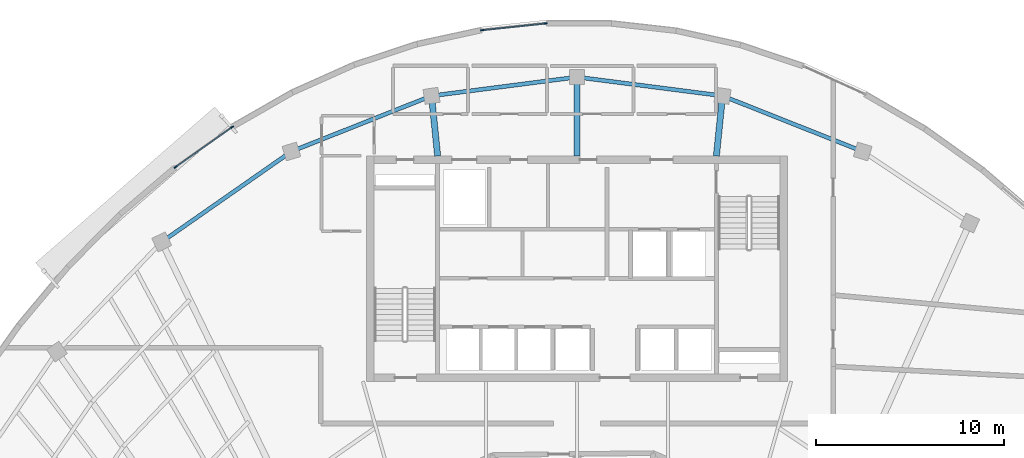
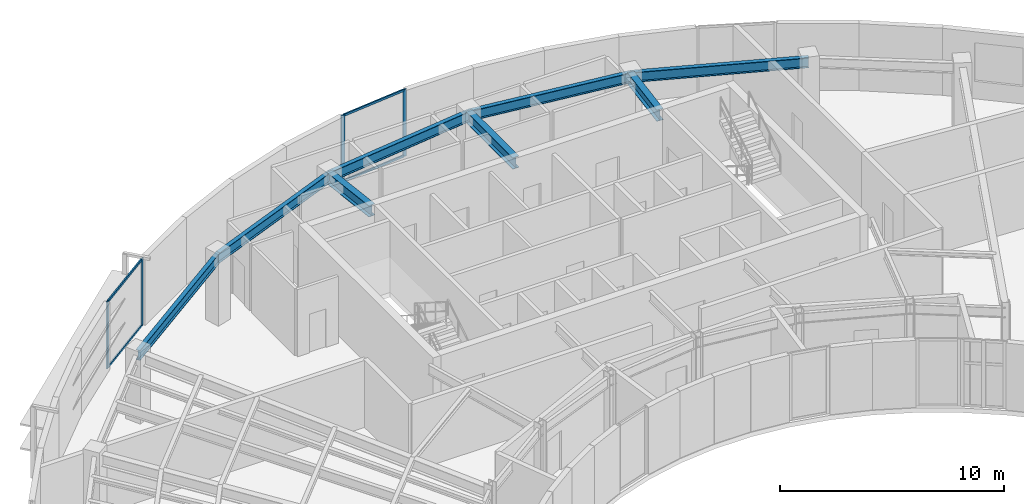
# One storey, part 4 of 12: 8 beams, 8 members, 2 elements without a shape of their own.
"""IFC4 building model written with IfcOpenShell, lengths in metres."""

from ifc_helpers import new_model, si_unit, direction, frame, origin, origin_2d, place, context, subcontext, project, spatial, rectangle, i_section, extrude, source, transform, mapped, material, layer, layer_set, material_profile, profile_set, type_object, element, aggregate, save


model = new_model("IFC4")

# Units and contexts
model_context = context("Model", 3, precision=1e-05, world=origin(), true_north=direction((0.0, 1.0)))
body_context = subcontext(model_context, "Body", "Model", "MODEL_VIEW")
ifc_project = project(units=[si_unit("LENGTHUNIT", "METRE"), si_unit("AREAUNIT", "SQUARE_METRE"), si_unit("VOLUMEUNIT", "CUBIC_METRE"), si_unit("PLANEANGLEUNIT", "RADIAN"), si_unit("MASSUNIT", "GRAM", prefix="KILO")], contexts=[model_context])

# Site, building, storey
site_placement = place(None, origin())
site = spatial("IfcSite", under=ifc_project, at=site_placement, CompositionType="ELEMENT")
building_placement = place(site_placement, origin())
building = spatial("IfcBuilding", under=site, at=building_placement, Name="Breltana Convention Tower", CompositionType="ELEMENT")
storey_placement = place(building_placement, frame((0.0, 0.0, 267.89990234375)))
storey = spatial("IfcBuildingStorey", under=building, at=storey_placement, Name="L65", CompositionType="ELEMENT", Elevation=267.89990234375)

# Beams
ifc_material_1 = material(Name="Steel ASTM A992 Grade 50", Category="steel")
ifc_material_profile_1 = material_profile(ifc_material_1, i_section(OverallWidth=0.326904296875, OverallDepth=0.6220703125, WebThickness=0.015380859375, FlangeThickness=0.0244140625, at=origin_2d()), Name="W24X131")
ifc_profile_set_1 = profile_set([ifc_material_profile_1], Name="Steel ASTM A992 Grade 50")
beam_type_1 = type_object("IfcBeamType", Name="BM-RG-W24X131", PredefinedType="USERDEFINED", material=ifc_profile_set_1)
shared_shape_1 = source(origin(), body_context, "Body", "SweptSolid", [
    extrude(i_section(OverallWidth=0.326904296875, OverallDepth=0.6220703125, WebThickness=0.015380859375, FlangeThickness=0.0244140625, at=origin_2d()), origin(), (0.0, 0.0, 1.0), 3.220947265625),
])
for number, where, z_axis, x_axis, name in (
    (1, (40.580078125, 72.199951171875, 3.339111328125), (-0.101492254858, 0.994836329355, 0.0), (-0.994836329355, -0.101492254858, 0.0), "L65 North Core Radial Girder R05"),
    (2, (55.419921875, 72.199951171875, 3.339111328125), (0.101492254858, 0.994836329355, 0.0), (-0.994836329355, 0.101492254858, 0.0), "L65 North Core Radial Girder R07"),
):
    element("IfcBeam", number, at=place(storey_placement, frame(where, z_axis=z_axis, x_axis=x_axis)), inside=storey, type_object=beam_type_1, Name=name, ObjectType="GIRDER", PredefinedType="USERDEFINED", context=body_context, shape_type="MappedRepresentation", body=[
        mapped(shared_shape_1, transform((0.0, 0.0, 0.0), scale=1.0)),
    ])
shared_shape_2 = source(origin(), body_context, "Body", "SweptSolid", [
    extrude(i_section(OverallWidth=0.326904296875, OverallDepth=0.6220703125, WebThickness=0.015380859375, FlangeThickness=0.0244140625, at=origin_2d()), origin(), (0.0, 0.0, 1.0), 4.2041015625),
])
beam_1_placement = place(storey_placement, frame((48.0, 72.199951171875, 3.339111328125), z_axis=(0.0, 1.0, 0.0), x_axis=(-1.0, 0.0, 0.0)))
element("IfcBeam", 3, at=beam_1_placement, inside=storey, type_object=beam_type_1, Name="L65 North Core Radial Girder R06", ObjectType="GIRDER", PredefinedType="USERDEFINED", context=body_context, shape_type="MappedRepresentation", body=[
    mapped(shared_shape_2, transform((0.0, 0.0, 0.0), scale=1.0)),
])
ifc_material_profile_2 = material_profile(ifc_material_1, i_section(OverallWidth=0.214111328125, OverallDepth=0.549072265625, WebThickness=0.0146484375, FlangeThickness=0.023681640625, at=origin_2d()), Name="W21X93")
ifc_profile_set_2 = profile_set([ifc_material_profile_2], Name="Steel ASTM A992 Grade 50")
beam_type_2 = type_object("IfcBeamType", Name="BM-SP-W21X93", PredefinedType="SPANDREL", material=ifc_profile_set_2)
shared_shape_3 = source(origin(), body_context, "Body", "SweptSolid", [
    extrude(i_section(OverallWidth=0.214111328125, OverallDepth=0.549072265625, WebThickness=0.0146484375, FlangeThickness=0.023681640625, at=origin_2d()), origin(), (0.0, 0.0, 1.0), 8.4169921875),
])
beam_2_placement = place(storey_placement, frame((25.8876953125, 67.626953125, 3.37548828125), z_axis=(0.820173800102, 0.572114444519, 0.0), x_axis=(-0.572114444519, 0.820173800102, 0.0)))
element("IfcBeam", 4, at=beam_2_placement, inside=storey, type_object=beam_type_2, Name="L65 Outer Spandrel Beam 03", PredefinedType="SPANDREL", context=body_context, shape_type="MappedRepresentation", body=[
    mapped(shared_shape_3, transform((0.0, 0.0, 0.0), scale=1.0)),
])
shared_shape_4 = source(origin(), body_context, "Body", "SweptSolid", [
    extrude(i_section(OverallWidth=0.214111328125, OverallDepth=0.549072265625, WebThickness=0.0146484375, FlangeThickness=0.023681640625, at=origin_2d()), origin(), (0.0, 0.0, 1.0), 8.028564453125),
])
for number, where, z_axis, x_axis, name in (
    (5, (32.791015625, 72.4423828125, 3.37548828125), (0.929459100394, 0.368925169507, 0.0), (-0.368925169507, 0.929459100394, 0.0), "L65 Outer Spandrel Beam 04"),
    (6, (55.746826171875, 75.404296875, 3.37548828125), (0.929459100394, -0.368925169507, 0.0), (0.368925169507, 0.929459100394, 0.0), "L65 Outer Spandrel Beam 07"),
):
    element("IfcBeam", number, at=place(storey_placement, frame(where, z_axis=z_axis, x_axis=x_axis)), inside=storey, type_object=beam_type_2, Name=name, PredefinedType="SPANDREL", context=body_context, shape_type="MappedRepresentation", body=[
        mapped(shared_shape_4, transform((0.0, 0.0, 0.0), scale=1.0)),
    ])
shared_shape_5 = source(origin(), body_context, "Body", "SweptSolid", [
    extrude(i_section(OverallWidth=0.214111328125, OverallDepth=0.549072265625, WebThickness=0.0146484375, FlangeThickness=0.023681640625, at=origin_2d()), origin(), (0.0, 0.0, 1.0), 7.81103515625),
])
for number, where, z_axis, x_axis, name in (
    (7, (40.253173828125, 75.404296875, 3.37548828125), (0.991775179127, 0.127992164083, 0.0), (-0.127992164083, 0.991775179127, 0.0), "L65 Outer Spandrel Beam 05"),
    (8, (48.0, 76.404052734375, 3.37548828125), (0.991775179127, -0.127992164083, 0.0), (0.127992164083, 0.991775179127, 0.0), "L65 Outer Spandrel Beam 06"),
):
    element("IfcBeam", number, at=place(storey_placement, frame(where, z_axis=z_axis, x_axis=x_axis)), inside=storey, type_object=beam_type_2, Name=name, PredefinedType="SPANDREL", context=body_context, shape_type="MappedRepresentation", body=[
        mapped(shared_shape_5, transform((0.0, 0.0, 0.0), scale=1.0)),
    ])

# Curtain wall, members
ifc_material_2 = material(Name="Aluminium Anodised Bronze Frame", Category="aluminium")
ifc_layer = layer(ifc_material_2, 0.22998046875, Name="Aluminium Anodised Bronze Frame")
ifc_layer_set = layer_set([ifc_layer], Name="Aluminium Anodised Bronze Frame")
curtain_wall_type = type_object("IfcCurtainWallType", Name="CW-SYS-5", PredefinedType="NOTDEFINED", material=ifc_layer_set)
curtain_wall_1_placement = place(storey_placement, origin())
curtain_wall_1 = element("IfcCurtainWall", 9, at=curtain_wall_1_placement, inside=storey, type_object=curtain_wall_type, Name="L65 outer double-skin inner glazing 2", PredefinedType="NOTDEFINED")
ifc_material_3 = material(Name="Aluminium Anodised Bronze", Category="aluminium")
ifc_material_profile_3 = material_profile(ifc_material_3, rectangle(XDim=0.070068359375, YDim=0.175048828125, at=origin_2d()), Name="CWM-70X175")
ifc_profile_set_3 = profile_set([ifc_material_profile_3], Name="Aluminium Anodised Bronze")
member_type_1 = type_object("IfcMemberType", Name="CWM-175", PredefinedType="MULLION", material=ifc_profile_set_3)
shared_shape_6 = source(origin(), body_context, "Body", "SweptSolid", [
    extrude(rectangle(XDim=0.070068359375, YDim=0.175048828125, at=origin_2d()), origin(), (0.0, 0.0, 1.0), 3.650146484375),
])
member_1_placement = place(storey_placement, frame((26.624267578125, 71.61181640625, 0.0), z_axis=(0.0, 0.0, 1.0), x_axis=(-0.576623562452, 0.817009955402, 0.0)))
member_1 = element("IfcMember", 10, at=member_1_placement, type_object=member_type_1, Name="CW-05 mullion 1", PredefinedType="MULLION", context=body_context, shape_type="MappedRepresentation", body=[
    mapped(shared_shape_6, transform((0.0, 0.0, 0.0), scale=1.0)),
])
member_2_placement = place(storey_placement, frame((29.633056640625, 73.7353515625, 0.0), z_axis=(0.0, 0.0, 1.0), x_axis=(-0.576623562452, 0.817009955402, 0.0)))
member_2 = element("IfcMember", 11, at=member_2_placement, type_object=member_type_1, Name="CW-05 mullion 2", PredefinedType="MULLION", context=body_context, shape_type="MappedRepresentation", body=[
    mapped(shared_shape_6, transform((0.0, 0.0, 0.0), scale=1.0)),
])

curtain_wall_2_placement = place(storey_placement, origin())
curtain_wall_2 = element("IfcCurtainWall", 12, at=curtain_wall_2_placement, inside=storey, type_object=curtain_wall_type, Name="L65 outer double-skin inner glazing 3", PredefinedType="NOTDEFINED")
member_3_placement = place(storey_placement, frame((42.94677734375, 78.9013671875, 0.0), z_axis=(0.0, 0.0, 1.0), x_axis=(-0.105448335932, 0.994424782701, 0.0)))
member_3 = element("IfcMember", 13, at=member_3_placement, type_object=member_type_1, Name="CW-05 mullion 1", PredefinedType="MULLION", context=body_context, shape_type="MappedRepresentation", body=[
    mapped(shared_shape_6, transform((0.0, 0.0, 0.0), scale=1.0)),
])
member_4_placement = place(storey_placement, frame((46.32763671875, 79.260009765625, 0.0), z_axis=(0.0, 0.0, 1.0), x_axis=(-0.105448335932, 0.994424782701, 0.0)))
member_4 = element("IfcMember", 14, at=member_4_placement, type_object=member_type_1, Name="CW-05 mullion 2", PredefinedType="MULLION", context=body_context, shape_type="MappedRepresentation", body=[
    mapped(shared_shape_6, transform((0.0, 0.0, 0.0), scale=1.0)),
])

# Member
ifc_material_profile_4 = material_profile(ifc_material_3, rectangle(XDim=0.070068359375, YDim=0.1201171875, at=origin_2d()), Name="CWT-70X120")
ifc_profile_set_4 = profile_set([ifc_material_profile_4], Name="Aluminium Anodised Bronze")
member_type_2 = type_object("IfcMemberType", Name="CWT-120", PredefinedType="USERDEFINED", material=ifc_profile_set_4)
shared_shape_7 = source(origin(), body_context, "Body", "SweptSolid", [
    extrude(rectangle(XDim=0.070068359375, YDim=0.1201171875, at=origin_2d()), origin(), (0.0, 0.0, 1.0), 3.61279296875),
])
member_5_placement = place(storey_placement, frame((26.65283203125, 71.632080078125, 0.03515625), z_axis=(0.817003444872, 0.576632787021, 0.0), x_axis=(-0.576632787021, 0.817003444872, 0.0)))
member_5 = element("IfcMember", 15, at=member_5_placement, type_object=member_type_2, Name="CW-05 transom 1.1", ObjectType="TRANSOM", PredefinedType="USERDEFINED", context=body_context, shape_type="MappedRepresentation", body=[
    mapped(shared_shape_7, transform((0.0, 0.0, 0.0), scale=1.0)),
])

member_6_placement = place(storey_placement, frame((26.65283203125, 71.632080078125, 3.614990234375), z_axis=(0.817003444872, 0.576632787021, 0.0), x_axis=(-0.576632787021, 0.817003444872, 0.0)))
member_6 = element("IfcMember", 16, at=member_6_placement, type_object=member_type_2, Name="CW-05 transom 1.2", ObjectType="TRANSOM", PredefinedType="USERDEFINED", context=body_context, shape_type="MappedRepresentation", body=[
    mapped(shared_shape_7, transform((0.0, 0.0, 0.0), scale=1.0)),
])

aggregate(curtain_wall_1, [member_1, member_2, member_5, member_6])

shared_shape_8 = source(origin(), body_context, "Body", "SweptSolid", [
    extrude(rectangle(XDim=0.070068359375, YDim=0.1201171875, at=origin_2d()), origin(), (0.0, 0.0, 1.0), 3.330078125),
])
member_7_placement = place(storey_placement, frame((42.9814453125, 78.905029296875, 0.03515625), z_axis=(0.99442724385, 0.105425123611, 0.0), x_axis=(-0.105425123611, 0.99442724385, 0.0)))
member_7 = element("IfcMember", 17, at=member_7_placement, type_object=member_type_2, Name="CW-05 transom 1.1", ObjectType="TRANSOM", PredefinedType="USERDEFINED", context=body_context, shape_type="MappedRepresentation", body=[
    mapped(shared_shape_8, transform((0.0, 0.0, 0.0), scale=1.0)),
])

member_8_placement = place(storey_placement, frame((42.9814453125, 78.905029296875, 3.614990234375), z_axis=(0.99442724385, 0.105425123611, 0.0), x_axis=(-0.105425123611, 0.99442724385, 0.0)))
member_8 = element("IfcMember", 18, at=member_8_placement, type_object=member_type_2, Name="CW-05 transom 1.2", ObjectType="TRANSOM", PredefinedType="USERDEFINED", context=body_context, shape_type="MappedRepresentation", body=[
    mapped(shared_shape_8, transform((0.0, 0.0, 0.0), scale=1.0)),
])

aggregate(curtain_wall_2, [member_3, member_4, member_7, member_8])

save(model, "model.ifc")
